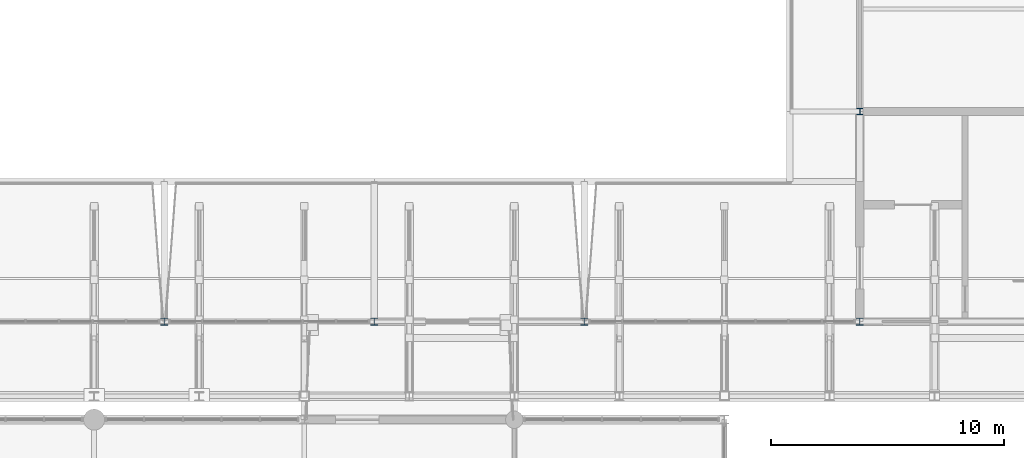
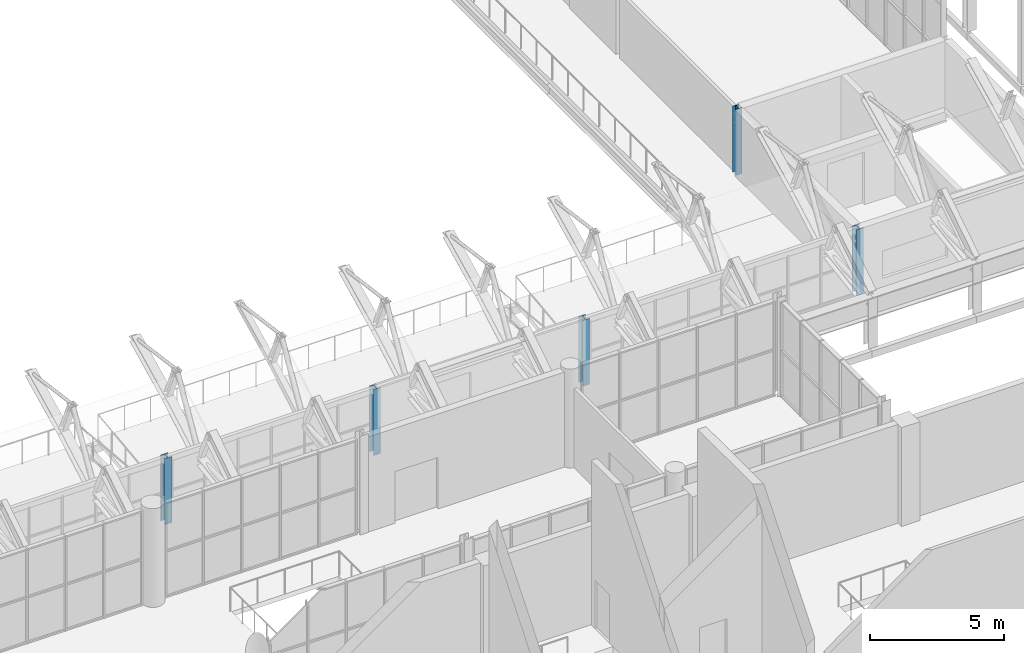
# One storey, part 19 of 134: 5 columns.
"""IFC4 building model written with IfcOpenShell, lengths in metres."""

from ifc_helpers import new_model, si_unit, direction, frame, origin, origin_2d, place, context, subcontext, project, spatial, i_section, extrude, material, material_profile, profile_set, type_object, element, save


model = new_model("IFC4")

# Units and contexts
model_context = context("Model", 3, precision=1e-05, world=origin(), true_north=direction((0.0, 1.0)))
body_context = subcontext(model_context, "Body", "Model", "MODEL_VIEW")
ifc_project = project(units=[si_unit("LENGTHUNIT", "METRE"), si_unit("AREAUNIT", "SQUARE_METRE"), si_unit("VOLUMEUNIT", "CUBIC_METRE"), si_unit("PLANEANGLEUNIT", "RADIAN"), si_unit("MASSUNIT", "GRAM", prefix="KILO")], contexts=[model_context])

# Site, building, storey
site_placement = place(None, origin())
site = spatial("IfcSite", under=ifc_project, at=site_placement, CompositionType="ELEMENT")
building_placement = place(site_placement, origin())
building = spatial("IfcBuilding", under=site, at=building_placement, Name="Cazmaro Siding Exhibition Halls", CompositionType="ELEMENT")
storey_placement = place(building_placement, frame((0.0, 0.0, 12.0)))
storey = spatial("IfcBuildingStorey", under=building, at=storey_placement, Name="L02", CompositionType="ELEMENT", Elevation=12.0)

# Columns
ifc_material_1 = material(Name="Steel ASTM A992 Grade 50", Category="steel")
ifc_material_profile_1 = material_profile(ifc_material_1, i_section(OverallWidth=0.304931640625, OverallDepth=0.306884765625, WebThickness=0.010009765625, FlangeThickness=0.014892578125, at=origin_2d()), Name="W12X65")
ifc_profile_set_1 = profile_set([ifc_material_profile_1], Name="Steel ASTM A992 Grade 50")
column_type_1 = type_object("IfcColumnType", Name="C-06", PredefinedType="COLUMN", material=ifc_profile_set_1)
for number, where, z_axis, x_axis, name in (
    (1, (129.0, 67.199951171875, 0.0), (0.0, 0.0, 1.0), (1.0, 0.0, 0.0), "Column C-06 COL-0347"),
    (2, (138.0, 67.199951171875, 0.0), (0.0, 0.0, 1.0), (1.0, 0.0, 0.0), "Column C-06 COL-0357"),
    (3, (147.0, 67.199951171875, 0.0), (0.0, 0.0, 1.0), (1.0, 0.0, 0.0), "Column C-06 COL-0367"),
    (4, (158.800048828125, 67.199951171875, 0.0), (0.0, 0.0, 1.0), (1.0, 0.0, 0.0), "Column C-06 COL-0377"),
):
    element("IfcColumn", number, at=place(storey_placement, frame(where, z_axis=z_axis, x_axis=x_axis)), inside=storey, type_object=column_type_1, Name=name, PredefinedType="COLUMN", context=body_context, shape_type="SweptSolid", body=[
        extrude(i_section(OverallWidth=0.304931640625, OverallDepth=0.306884765625, WebThickness=0.010009765625, FlangeThickness=0.014892578125, at=origin_2d()), origin(), (0.0, 0.0, 1.0), 3.0),
    ])
ifc_material_2 = material(Name="Steel ASTM A992 Grade 50", Category="steel")
ifc_material_profile_2 = material_profile(ifc_material_2, i_section(OverallWidth=0.257080078125, OverallDepth=0.263916015625, WebThickness=0.011962890625, FlangeThickness=0.02001953125, at=origin_2d()), Name="W10X68")
ifc_profile_set_2 = profile_set([ifc_material_profile_2], Name="Steel ASTM A992 Grade 50")
column_type_2 = type_object("IfcColumnType", Name="C-14", PredefinedType="COLUMN", material=ifc_profile_set_2)
column_placement = place(storey_placement, frame((158.800048828125, 76.199951171875, 0.0), z_axis=(0.0, 0.0, 1.0), x_axis=(1.0, 0.0, 0.0)))
element("IfcColumn", 5, at=column_placement, inside=storey, type_object=column_type_2, Name="Column C-14 COL-0430", PredefinedType="COLUMN", context=body_context, shape_type="SweptSolid", body=[
    extrude(i_section(OverallWidth=0.257080078125, OverallDepth=0.263916015625, WebThickness=0.011962890625, FlangeThickness=0.02001953125, at=origin_2d()), origin(), (0.0, 0.0, 1.0), 3.0),
])

save(model, "model.ifc")
